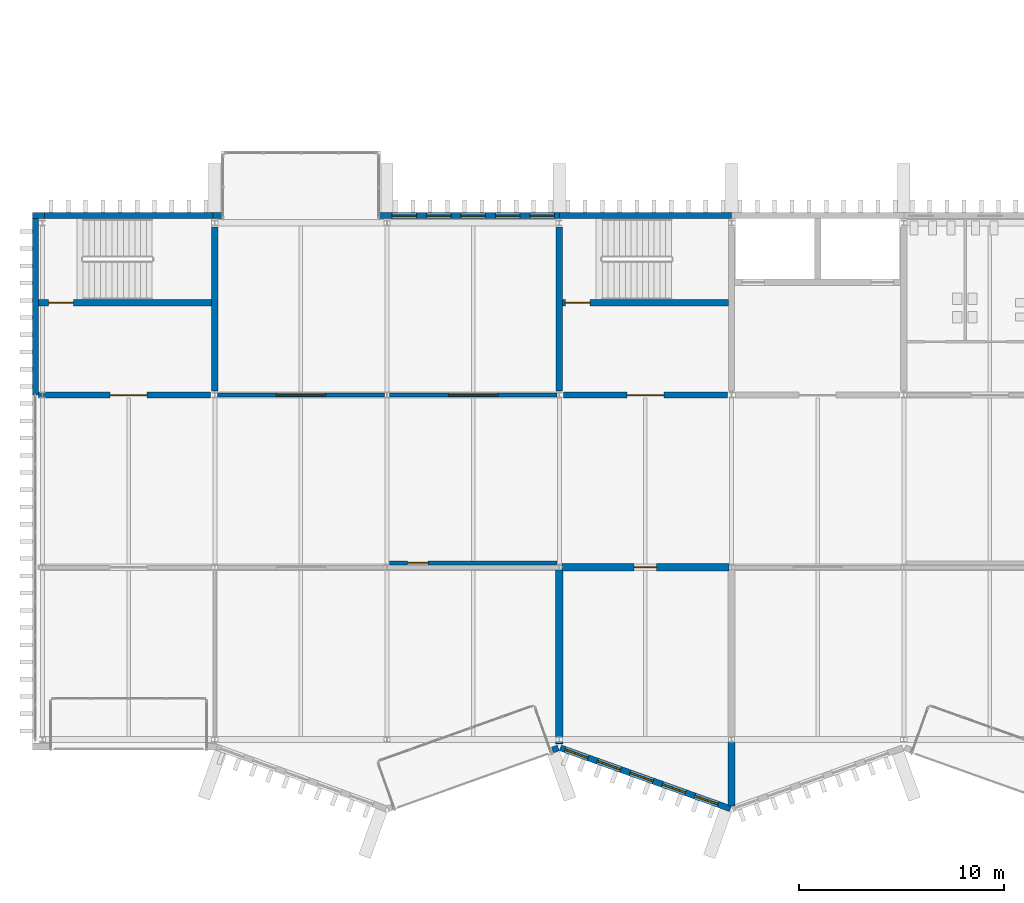
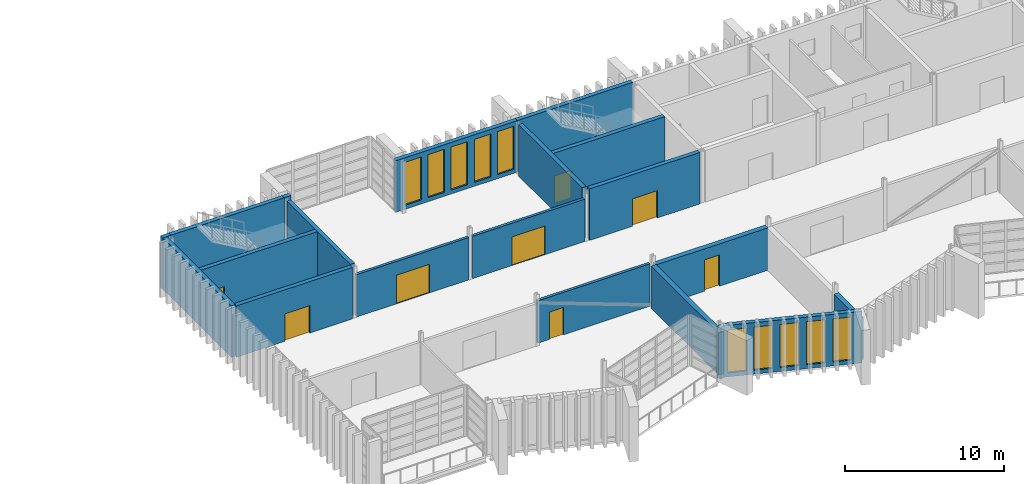
# One storey, part 54 of 88: 21 walls, 10 windows, 8 doors, 18 openings.
"""IFC4 building model written with IfcOpenShell, lengths in metres."""

import ifcopenshell
import ifcopenshell.guid

model = None  # the IFC model being written
_history = None  # IfcOwnerHistory: only IFC2X3 demands one
_inside = {}  # id of a spatial element -> (the spatial element, [elements in it])
_under = {}  # id of a project, library or spatial element -> (it, [spatial elements below it])
_declared = {}  # id of a project -> (the project, [libraries it declares])
_typed = {}  # id of a type object -> (the type object, [elements of that type])
_made_of = {}  # id of a material, layer set ... -> (it, [elements and type objects made of it])


def new_model(schema):
    """Start an empty IFC model of exactly this schema.

    Asked for "IFC4X3", IfcOpenShell would pick the latest addendum, in which some entities
    have other attributes; the version numbers below select the first issue.
    IFC2X3 requires an IfcOwnerHistory on every rooted entity: one is made here for all.
    """
    global model, _history
    if schema == "IFC4X3":
        model = ifcopenshell.file(schema_version=(4, 3, 0, 0))
    else:
        model = ifcopenshell.file(schema=schema)
    _inside.clear()
    _under.clear()
    _declared.clear()
    _typed.clear()
    _made_of.clear()
    _history = None
    if model.schema == "IFC2X3":
        org = make("IfcOrganization", Name="unknown")
        user = make(
            "IfcPersonAndOrganization",
            ThePerson=make("IfcPerson", FamilyName="unknown"),
            TheOrganization=org,
        )
        app = make(
            "IfcApplication",
            ApplicationDeveloper=org,
            Version="unknown",
            ApplicationFullName="unknown",
            ApplicationIdentifier="unknown",
        )
        _history = make(
            "IfcOwnerHistory",
            OwningUser=user,
            OwningApplication=app,
            ChangeAction="ADDED",
            CreationDate=0,
        )
    return model


def make(cls, **values):
    """One entity of the class cls with the attributes given. An attribute that is None is left unset."""
    return model.create_entity(
        cls, **{name: value for name, value in values.items() if value is not None}
    )


def rooted(cls, **values):
    """An entity with a GlobalId (a new one), such as an element, a storey or a relation."""
    return make(cls, GlobalId=ifcopenshell.guid.new(), OwnerHistory=_history, **values)


def si_unit(unit_type, name, prefix=None):
    """IfcSIUnit, for example si_unit("LENGTHUNIT", "METRE", prefix="MILLI")."""
    return make("IfcSIUnit", UnitType=unit_type, Prefix=prefix, Name=name)


def assignment(units):
    """IfcUnitAssignment: the units of a project."""
    return None if units is None else make("IfcUnitAssignment", Units=units)


def point(xyz):
    """IfcCartesianPoint."""
    return None if xyz is None else make("IfcCartesianPoint", Coordinates=xyz)


def direction(xyz):
    """IfcDirection."""
    return None if xyz is None else make("IfcDirection", DirectionRatios=xyz)


def frame(location, z_axis=None, x_axis=None):
    """IfcAxis2Placement3D, a coordinate frame: its origin and axes. An axis left out is left unset."""
    return make(
        "IfcAxis2Placement3D",
        Location=point(location),
        Axis=direction(z_axis),
        RefDirection=direction(x_axis),
    )


def frame_2d(location, x_axis=None):
    """IfcAxis2Placement2D, a coordinate frame in the plane: its origin and x axis."""
    return make(
        "IfcAxis2Placement2D", Location=point(location), RefDirection=direction(x_axis)
    )


def origin():
    """The frame at (0, 0, 0) with its axes left unset."""
    return frame((0.0, 0.0, 0.0))


def place(relative_to, where):
    """IfcLocalPlacement: puts the frame where relative to a parent placement (None: the world)."""
    return make(
        "IfcLocalPlacement", PlacementRelTo=relative_to, RelativePlacement=where
    )


def context(
    kind, dimensions, precision=None, world=None, true_north=None, identifier=None
):
    """IfcGeometricRepresentationContext, for example the 3D "Model" context."""
    return make(
        "IfcGeometricRepresentationContext",
        ContextIdentifier=identifier,
        ContextType=kind,
        CoordinateSpaceDimension=dimensions,
        Precision=precision,
        WorldCoordinateSystem=world,
        TrueNorth=true_north,
    )


def subcontext(parent, identifier, kind, view, scale=None):
    """IfcGeometricRepresentationSubContext, for example "Body" below "Model"."""
    return make(
        "IfcGeometricRepresentationSubContext",
        ContextIdentifier=identifier,
        ContextType=kind,
        ParentContext=parent,
        TargetScale=scale,
        TargetView=view,
    )


def project(units=None, contexts=None):
    """IfcProject with its units and contexts."""
    return rooted(
        "IfcProject",
        Name="project",
        RepresentationContexts=contexts,
        UnitsInContext=assignment(units),
    )


def spatial(cls, under=None, at=None, **own):
    """A site, building, storey or space (cls), placed at a placement, below another one or the project."""
    s = rooted(cls, ObjectPlacement=at, **own)
    if under is not None:
        _under.setdefault(under.id(), (under, []))[1].append(s)
    return s


def profile(cls, at=None, kind="AREA", **sizes):
    """A parametric profile (cls). Its sizes go by their IFC names, for example OverallWidth=200.0."""
    return make(cls, ProfileType=kind, Position=at, **sizes)


def rectangle(**sizes):
    """IfcRectangleProfileDef."""
    return profile("IfcRectangleProfileDef", **sizes)


def extrude(swept, where, along, depth):
    """IfcExtrudedAreaSolid: the profile swept, set in the frame where, extruded along a direction by depth."""
    return make(
        "IfcExtrudedAreaSolid",
        SweptArea=swept,
        Position=where,
        ExtrudedDirection=direction(along),
        Depth=depth,
    )


def shape(context_of_items, identifier, shape_type, items):
    """IfcShapeRepresentation: the items that make up one representation, for example the "Body"."""
    return make(
        "IfcShapeRepresentation",
        ContextOfItems=context_of_items,
        RepresentationIdentifier=identifier,
        RepresentationType=shape_type,
        Items=items,
    )


def material(Name=None, Category=None):
    """IfcMaterial."""
    return make("IfcMaterial", Name=Name, Category=Category)


def layer(
    of_material, thickness, ventilated=None, Name=None, Category=None, Priority=None
):
    """IfcMaterialLayer: one layer of a wall or slab, of a material (None: an air gap)."""
    return make(
        "IfcMaterialLayer",
        Material=of_material,
        LayerThickness=thickness,
        IsVentilated=ventilated,
        Name=Name,
        Category=Category,
        Priority=Priority,
    )


def layer_set(layers, Name=None):
    """IfcMaterialLayerSet."""
    return make("IfcMaterialLayerSet", MaterialLayers=layers, LayerSetName=Name)


def made_of(thing, what):
    """Note that an element or type object is made of a material, layer set ...; save() writes the relation."""
    if what is not None:
        _made_of.setdefault(what.id(), (what, []))[1].append(thing)
    return thing


def type_object(cls, material=None, **own):
    """A type object (cls), such as IfcWallType, which elements share."""
    return made_of(rooted(cls, **own), material)


def element(
    cls,
    number,
    at=None,
    inside=None,
    cuts=None,
    type_object=None,
    material=None,
    context=None,
    identifier="Body",
    shape_type=None,
    held_by="IfcProductDefinitionShape",
    body=None,
    shapes=None,
    **own,
):
    """One element of the class cls, such as IfcWall. Its Tag is "e" and its number.

    at: its placement. inside: the storey or other place that contains it. cuts: it is an
    opening in that element (IfcRelVoidsElement). A single representation is given by context,
    identifier, shape_type and body (its items); several are given by shapes. held_by: the class
    of the entity that holds the representations. save() writes the other relations.
    """
    e = rooted(cls, Tag="e%d" % number, ObjectPlacement=at, **own)
    if body is not None:
        shapes = [shape(context, identifier, shape_type, body)]
    if shapes is not None:
        e.Representation = make(held_by, Representations=shapes)
    if inside is not None:
        _inside.setdefault(inside.id(), (inside, []))[1].append(e)
    if cuts is not None:
        rooted(
            "IfcRelVoidsElement", RelatingBuildingElement=cuts, RelatedOpeningElement=e
        )
    if type_object is not None:
        _typed.setdefault(type_object.id(), (type_object, []))[1].append(e)
    return made_of(e, material)


def fill(opening, filler):
    """IfcRelFillsElement: the door or window that sits in an opening."""
    return rooted(
        "IfcRelFillsElement",
        RelatingOpeningElement=opening,
        RelatedBuildingElement=filler,
    )


def aggregate(whole, parts):
    """IfcRelAggregates: a whole, such as a stair, and the parts it consists of."""
    return rooted("IfcRelAggregates", RelatingObject=whole, RelatedObjects=parts)


def save(model, path):
    """Write the relations noted so far, then the file.

    IfcRelAggregates (storeys below a building ...), IfcRelContainedInSpatialStructure (elements
    in a storey), IfcRelDefinesByType, IfcRelAssociatesMaterial and IfcRelDeclares: one each for
    every whole, place, type object, material and project.
    """
    for whole, parts in _under.values():
        aggregate(whole, parts)
    for where, things in _inside.values():
        rooted(
            "IfcRelContainedInSpatialStructure",
            RelatedElements=things,
            RelatingStructure=where,
        )
    for kind, things in _typed.values():
        rooted("IfcRelDefinesByType", RelatedObjects=things, RelatingType=kind)
    for what, things in _made_of.values():
        rooted("IfcRelAssociatesMaterial", RelatedObjects=things, RelatingMaterial=what)
    for by, libraries in _declared.values():
        rooted("IfcRelDeclares", RelatingContext=by, RelatedDefinitions=libraries)
    model.write(path)


model = new_model("IFC4")

# Units and contexts
model_context = context("Model", 3, precision=1e-05, world=origin(), true_north=direction((0.0, 1.0)))
body_context = subcontext(model_context, "Body", "Model", "MODEL_VIEW")
ifc_project = project(units=[si_unit("LENGTHUNIT", "METRE"), si_unit("AREAUNIT", "SQUARE_METRE"), si_unit("VOLUMEUNIT", "CUBIC_METRE"), si_unit("PLANEANGLEUNIT", "RADIAN"), si_unit("MASSUNIT", "GRAM", prefix="KILO")], contexts=[model_context])

# Site, building, storey
site_placement = place(None, origin())
site = spatial("IfcSite", under=ifc_project, at=site_placement, CompositionType="ELEMENT")
building_placement = place(site_placement, origin())
building = spatial("IfcBuilding", under=site, at=building_placement, Name="Cresset Court Congress Hotel", CompositionType="ELEMENT")
storey_placement = place(building_placement, frame((0.0, 0.0, 14.39990234375)))
storey = spatial("IfcBuildingStorey", under=building, at=storey_placement, Name="L03", CompositionType="ELEMENT", Elevation=14.39990234375)

# Wall, opening, door
ifc_material_1 = material(Name="Double gypsum board leaves on steel studs with mineral wool", Category="steel")
ifc_layer_1 = layer(ifc_material_1, 0.35009765625)
ifc_layer_set_1 = layer_set([ifc_layer_1], Name="Acoustic double-leaf boardroom wall 350")
wall_type_1 = type_object("IfcWallType", Name="Acoustic double-leaf boardroom wall 350", PredefinedType="PARTITIONING", material=ifc_layer_set_1)
wall_1_placement = place(storey_placement, frame((33.72509765625, 8.39990234375, 0.0), z_axis=(0.0, 0.0, 1.0), x_axis=(1.0, 0.0, 0.0)))
wall_1 = element("IfcWall", 1, at=wall_1_placement, inside=storey, type_object=wall_type_1, Name="Boardroom acoustic wall", PredefinedType="PARTITIONING", context=body_context, shape_type="SweptSolid", body=[
    extrude(rectangle(XDim=8.14990234375, YDim=0.35009765625, at=frame_2d((4.074951171875, 0.0))), origin(), (0.0, 0.0, 1.0), 3.25),
])
opening_1_placement = place(wall_1_placement, frame((3.52490234375, 0.0, 0.0)))
opening_1 = element("IfcOpeningElement", 2, at=opening_1_placement, cuts=wall_1, Name="Opening DB-03-04", PredefinedType="OPENING", context=body_context, shape_type="SweptSolid", body=[
    extrude(rectangle(XDim=1.10009765625, YDim=2.39990234375, at=frame_2d((0.550048828125, 1.199951171875))), frame((0.0, 0.18505859375, 0.0), z_axis=(0.0, -1.0, 0.0), x_axis=(1.0, 0.0, 0.0)), (0.0, 0.0, 1.0), 0.3701171875),
])
ifc_material_2 = material(Name="Solid-core timber with acoustic seals", Category="wood")
door_type_1 = type_object("IfcDoorType", Name="Boardroom acoustic door FD30 1100x2400", OperationType="SINGLE_SWING_LEFT", PredefinedType="DOOR", material=ifc_material_2)
door_1_placement = place(opening_1_placement, origin())
door_1 = element("IfcDoor", 3, at=door_1_placement, inside=storey, type_object=door_type_1, Name="Boardroom door", OperationType="SINGLE_SWING_LEFT", OverallHeight=2.39990234375, OverallWidth=1.10009765625, PredefinedType="DOOR", context=body_context, shape_type="SweptSolid", body=[
    extrude(rectangle(XDim=1.10009765625, YDim=2.39990234375, at=frame_2d((0.550048828125, 1.199951171875))), frame((0.0, 0.02490234375, 0.0), z_axis=(0.0, -1.0, 0.0), x_axis=(1.0, 0.0, 0.0)), (0.0, 0.0, 1.0), 0.050048828125),
])
fill(opening_1, door_1)

# Walls
wall_2_placement = place(storey_placement, frame((33.60009765625, -0.199951171875, 0.0), z_axis=(0.0, 0.0, 1.0), x_axis=(0.0, 1.0, 0.0)))
element("IfcWall", 4, at=wall_2_placement, inside=storey, type_object=wall_type_1, Name="Boardroom acoustic wall", PredefinedType="PARTITIONING", context=body_context, shape_type="SweptSolid", body=[
    extrude(rectangle(XDim=0.074951171875, YDim=0.35009765625, at=frame_2d((0.03759765625, 0.0))), origin(), (0.0, 0.0, 1.0), 3.25),
])
wall_3_placement = place(storey_placement, frame((33.60009765625, 0.125, 0.0), z_axis=(0.0, 0.0, 1.0), x_axis=(0.0, 1.0, 0.0)))
element("IfcWall", 5, at=wall_3_placement, inside=storey, type_object=wall_type_1, Name="Boardroom acoustic wall", PredefinedType="PARTITIONING", context=body_context, shape_type="SweptSolid", body=[
    extrude(rectangle(XDim=8.14990234375, YDim=0.35009765625, at=frame_2d((4.074951171875, 0.0))), origin(), (0.0, 0.0, 1.0), 3.25),
])
wall_4_placement = place(storey_placement, frame((42.0, -3.2314453125, 0.0), z_axis=(0.0, 0.0, 1.0), x_axis=(0.0, 1.0, 0.0)))
element("IfcWall", 6, at=wall_4_placement, inside=storey, type_object=wall_type_1, Name="Boardroom acoustic wall", PredefinedType="PARTITIONING", context=body_context, shape_type="SweptSolid", body=[
    extrude(rectangle(XDim=3.1064453125, YDim=0.35009765625, at=frame_2d((1.55322265625, 0.0))), origin(), (0.0, 0.0, 1.0), 3.25),
])
ifc_material_3 = material(Name="Concrete C50", Category="concrete")
ifc_layer_2 = layer(ifc_material_3, 0.300048828125)
ifc_layer_set_2 = layer_set([ifc_layer_2], Name="Core wall 300 Concrete C50")
wall_type_2 = type_object("IfcWallType", Name="Core wall 300 Concrete C50", PredefinedType="SHEAR", material=ifc_layer_set_2)
wall_5_placement = place(storey_placement, frame((16.800048828125, 17.0, 0.0), z_axis=(0.0, 0.0, 1.0), x_axis=(0.0, 1.0, 0.0)))
element("IfcWall", 7, at=wall_5_placement, inside=storey, type_object=wall_type_2, Name="Core wall ST-B1", PredefinedType="SHEAR", context=body_context, shape_type="SweptSolid", body=[
    extrude(rectangle(XDim=8.0, YDim=0.300048828125, at=frame_2d((4.0, 0.0))), origin(), (0.0, 0.0, 1.0), 3.9501953125),
])

# Wall, opening, door
wall_6_placement = place(storey_placement, frame((8.199951171875, 16.800048828125, 0.0), z_axis=(0.0, 0.0, 1.0), x_axis=(1.0, 0.0, 0.0)))
wall_6 = element("IfcWall", 8, at=wall_6_placement, inside=storey, type_object=wall_type_2, Name="Core wall ST-B1", PredefinedType="SHEAR", context=body_context, shape_type="SweptSolid", body=[
    extrude(rectangle(XDim=8.400146484375, YDim=0.300048828125, at=frame_2d((4.2001953125, 0.0))), origin(), (0.0, 0.0, 1.0), 3.9501953125),
])
opening_2_placement = place(wall_6_placement, frame((3.5, 0.0, 0.0)))
opening_2 = element("IfcOpeningElement", 9, at=opening_2_placement, cuts=wall_6, Name="Opening DB-03-45", PredefinedType="OPENING", context=body_context, shape_type="SweptSolid", body=[
    extrude(rectangle(XDim=1.800048828125, YDim=2.10009765625, at=frame_2d((0.89990234375, 1.050048828125))), frame((0.0, 0.159912109375, 0.0), z_axis=(0.0, -1.0, 0.0), x_axis=(1.0, 0.0, 0.0)), (0.0, 0.0, 1.0), 0.320068359375),
])
ifc_material_4 = material(Name="Timber and steel frame", Category="steel")
door_type_2 = type_object("IfcDoorType", Name="Lobby fire door FD60 double 1800x2100", OperationType="DOUBLE_DOOR_SINGLE_SWING", PredefinedType="DOOR", material=ifc_material_4)
door_2_placement = place(opening_2_placement, origin())
door_2 = element("IfcDoor", 10, at=door_2_placement, inside=storey, type_object=door_type_2, Name="Stair lobby door ST-B1", OperationType="DOUBLE_DOOR_SINGLE_SWING", OverallHeight=2.10009765625, OverallWidth=1.800048828125, PredefinedType="DOOR", context=body_context, shape_type="SweptSolid", body=[
    extrude(rectangle(XDim=1.800048828125, YDim=2.10009765625, at=frame_2d((0.89990234375, 1.050048828125))), frame((0.0, 0.02490234375, 0.0), z_axis=(0.0, -1.0, 0.0), x_axis=(1.0, 0.0, 0.0)), (0.0, 0.0, 1.0), 0.050048828125),
])
fill(opening_2, door_2)

wall_7_placement = place(storey_placement, frame((8.199951171875, 21.300048828125, 0.0), z_axis=(0.0, 0.0, 1.0), x_axis=(1.0, 0.0, 0.0)))
wall_7 = element("IfcWall", 11, at=wall_7_placement, inside=storey, type_object=wall_type_2, Name="Core wall ST-B1", PredefinedType="SHEAR", context=body_context, shape_type="SweptSolid", body=[
    extrude(rectangle(XDim=8.449951171875, YDim=0.300048828125, at=frame_2d((4.22509765625, 0.0))), origin(), (0.0, 0.0, 1.0), 3.9501953125),
])
opening_3_placement = place(wall_7_placement, frame((0.5, 0.0, 0.0)))
opening_3 = element("IfcOpeningElement", 12, at=opening_3_placement, cuts=wall_7, Name="Opening DB-03-44", PredefinedType="OPENING", context=body_context, shape_type="SweptSolid", body=[
    extrude(rectangle(XDim=1.199951171875, YDim=2.10009765625, at=frame_2d((0.60009765625, 1.050048828125))), frame((0.0, 0.159912109375, 0.0), z_axis=(0.0, -1.0, 0.0), x_axis=(1.0, 0.0, 0.0)), (0.0, 0.0, 1.0), 0.320068359375),
])
ifc_material_5 = material(Name="Timber and steel frame", Category="steel")
door_type_3 = type_object("IfcDoorType", Name="Stair fire door FD60 1200x2100", OperationType="SINGLE_SWING_LEFT", PredefinedType="DOOR", material=ifc_material_5)
door_3_placement = place(opening_3_placement, origin())
door_3 = element("IfcDoor", 13, at=door_3_placement, inside=storey, type_object=door_type_3, Name="Stair door ST-B1", OperationType="SINGLE_SWING_LEFT", OverallHeight=2.10009765625, OverallWidth=1.199951171875, PredefinedType="DOOR", context=body_context, shape_type="SweptSolid", body=[
    extrude(rectangle(XDim=1.199951171875, YDim=2.10009765625, at=frame_2d((0.60009765625, 1.050048828125))), frame((0.0, 0.02490234375, 0.0), z_axis=(0.0, -1.0, 0.0), x_axis=(1.0, 0.0, 0.0)), (0.0, 0.0, 1.0), 0.050048828125),
])
fill(opening_3, door_3)

# Wall
wall_8_placement = place(storey_placement, frame((33.60009765625, 17.0, 0.0), z_axis=(0.0, 0.0, 1.0), x_axis=(0.0, 1.0, 0.0)))
element("IfcWall", 14, at=wall_8_placement, inside=storey, type_object=wall_type_2, Name="Core wall ST-B2", PredefinedType="SHEAR", context=body_context, shape_type="SweptSolid", body=[
    extrude(rectangle(XDim=8.0, YDim=0.300048828125, at=frame_2d((4.0, 0.0))), origin(), (0.0, 0.0, 1.0), 3.9501953125),
])

# Wall, opening, door
wall_9_placement = place(storey_placement, frame((33.800048828125, 16.800048828125, 0.0), z_axis=(0.0, 0.0, 1.0), x_axis=(1.0, 0.0, 0.0)))
wall_9 = element("IfcWall", 15, at=wall_9_placement, inside=storey, type_object=wall_type_2, Name="Core wall ST-B2", PredefinedType="SHEAR", context=body_context, shape_type="SweptSolid", body=[
    extrude(rectangle(XDim=8.0, YDim=0.300048828125, at=frame_2d((4.0, 0.0))), origin(), (0.0, 0.0, 1.0), 3.9501953125),
])
opening_4_placement = place(wall_9_placement, frame((3.10009765625, 0.0, 0.0)))
opening_4 = element("IfcOpeningElement", 16, at=opening_4_placement, cuts=wall_9, Name="Opening DB-03-47", PredefinedType="OPENING", context=body_context, shape_type="SweptSolid", body=[
    extrude(rectangle(XDim=1.800048828125, YDim=2.10009765625, at=frame_2d((0.89990234375, 1.050048828125))), frame((0.0, 0.159912109375, 0.0), z_axis=(0.0, -1.0, 0.0), x_axis=(1.0, 0.0, 0.0)), (0.0, 0.0, 1.0), 0.320068359375),
])
door_4_placement = place(opening_4_placement, origin())
door_4 = element("IfcDoor", 17, at=door_4_placement, inside=storey, type_object=door_type_2, Name="Stair lobby door ST-B2", OperationType="DOUBLE_DOOR_SINGLE_SWING", OverallHeight=2.10009765625, OverallWidth=1.800048828125, PredefinedType="DOOR", context=body_context, shape_type="SweptSolid", body=[
    extrude(rectangle(XDim=1.800048828125, YDim=2.10009765625, at=frame_2d((0.89990234375, 1.050048828125))), frame((0.0, 0.02490234375, 0.0), z_axis=(0.0, -1.0, 0.0), x_axis=(1.0, 0.0, 0.0)), (0.0, 0.0, 1.0), 0.050048828125),
])
fill(opening_4, door_4)

wall_10_placement = place(storey_placement, frame((33.75, 21.300048828125, 0.0), z_axis=(0.0, 0.0, 1.0), x_axis=(1.0, 0.0, 0.0)))
wall_10 = element("IfcWall", 18, at=wall_10_placement, inside=storey, type_object=wall_type_2, Name="Core wall ST-B2", PredefinedType="SHEAR", context=body_context, shape_type="SweptSolid", body=[
    extrude(rectangle(XDim=8.10009765625, YDim=0.300048828125, at=frame_2d((4.050048828125, 0.0))), origin(), (0.0, 0.0, 1.0), 3.9501953125),
])
opening_5_placement = place(wall_10_placement, frame((0.14990234375, 0.0, 0.0)))
opening_5 = element("IfcOpeningElement", 19, at=opening_5_placement, cuts=wall_10, Name="Opening DB-03-46", PredefinedType="OPENING", context=body_context, shape_type="SweptSolid", body=[
    extrude(rectangle(XDim=1.199951171875, YDim=2.10009765625, at=frame_2d((0.60009765625, 1.050048828125))), frame((0.0, 0.159912109375, 0.0), z_axis=(0.0, -1.0, 0.0), x_axis=(1.0, 0.0, 0.0)), (0.0, 0.0, 1.0), 0.320068359375),
])
door_5_placement = place(opening_5_placement, origin())
door_5 = element("IfcDoor", 20, at=door_5_placement, inside=storey, type_object=door_type_3, Name="Stair door ST-B2", OperationType="SINGLE_SWING_LEFT", OverallHeight=2.10009765625, OverallWidth=1.199951171875, PredefinedType="DOOR", context=body_context, shape_type="SweptSolid", body=[
    extrude(rectangle(XDim=1.199951171875, YDim=2.10009765625, at=frame_2d((0.60009765625, 1.050048828125))), frame((0.0, 0.02490234375, 0.0), z_axis=(0.0, -1.0, 0.0), x_axis=(1.0, 0.0, 0.0)), (0.0, 0.0, 1.0), 0.050048828125),
])
fill(opening_5, door_5)

# Walls
ifc_material_6 = material(Name="Concrete C50", Category="concrete")
ifc_layer_3 = layer(ifc_material_6, 0.300048828125)
ifc_layer_set_3 = layer_set([ifc_layer_3], Name="Core wall 300 Concrete C50 external")
wall_type_3 = type_object("IfcWallType", Name="Core wall 300 Concrete C50 external", PredefinedType="SHEAR", material=ifc_layer_set_3)
wall_11_placement = place(storey_placement, frame((8.050048828125, 16.800048828125, 0.0), z_axis=(0.0, 0.0, 1.0), x_axis=(0.0, 1.0, 0.0)))
element("IfcWall", 21, at=wall_11_placement, inside=storey, type_object=wall_type_3, Name="Core wall ST-B1", PredefinedType="SHEAR", context=body_context, shape_type="SweptSolid", body=[
    extrude(rectangle(XDim=8.599853515625, YDim=0.300048828125, at=frame_2d((4.2998046875, 0.0))), origin(), (0.0, 0.0, 1.0), 3.9501953125),
])
wall_12_placement = place(storey_placement, frame((8.39990234375, 25.550048828125, 0.0), z_axis=(0.0, 0.0, 1.0), x_axis=(1.0, 0.0, 0.0)))
element("IfcWall", 22, at=wall_12_placement, inside=storey, type_object=wall_type_3, Name="Core wall ST-B1", PredefinedType="SHEAR", context=body_context, shape_type="SweptSolid", body=[
    extrude(rectangle(XDim=8.400146484375, YDim=0.300048828125, at=frame_2d((4.2001953125, 0.0))), origin(), (0.0, 0.0, 1.0), 3.9501953125),
])
wall_13_placement = place(storey_placement, frame((33.60009765625, 25.550048828125, 0.0), z_axis=(0.0, 0.0, 1.0), x_axis=(1.0, 0.0, 0.0)))
element("IfcWall", 23, at=wall_13_placement, inside=storey, type_object=wall_type_3, Name="Core wall ST-B2", PredefinedType="SHEAR", context=body_context, shape_type="SweptSolid", body=[
    extrude(rectangle(XDim=8.39990234375, YDim=0.300048828125, at=frame_2d((4.199951171875, 0.0))), origin(), (0.0, 0.0, 1.0), 3.9501953125),
])
ifc_material_7 = material(Name="Concrete C40", Category="concrete")
ifc_layer_4 = layer(ifc_material_7, 0.300048828125)
ifc_layer_set_4 = layer_set([ifc_layer_4], Name="External wall 300 Concrete C40")
wall_type_4 = type_object("IfcWallType", Name="External wall 300 Concrete C40", PredefinedType="SOLIDWALL", material=ifc_layer_set_4)
wall_14_placement = place(storey_placement, frame((33.26708984375, -0.509521484375, 0.0), z_axis=(0.0, 0.0, 1.0), x_axis=(0.941797147708, 0.336181695768, 0.0)))
element("IfcWall", 24, at=wall_14_placement, inside=storey, type_object=wall_type_4, Name="External wall", PredefinedType="SOLIDWALL", context=body_context, shape_type="SweptSolid", body=[
    extrude(rectangle(XDim=0.300048828125, YDim=0.300048828125, at=frame_2d((0.14990234375, 0.0))), origin(), (0.0, 0.0, 1.0), 3.9501953125),
])

# Wall, openings, windows
wall_15_placement = place(storey_placement, frame((33.650390625, -0.40869140625, 0.0), z_axis=(0.0, 0.0, 1.0), x_axis=(0.941736270411, -0.336352191894, 0.0)))
wall_15 = element("IfcWall", 25, at=wall_15_placement, inside=storey, type_object=wall_type_4, Name="External wall", PredefinedType="SOLIDWALL", context=body_context, shape_type="SweptSolid", body=[
    extrude(rectangle(XDim=8.8125, YDim=0.300048828125, at=frame_2d((4.40625, 0.0))), origin(), (0.0, 0.0, 1.0), 3.9501953125),
])
opening_6_placement = place(wall_15_placement, frame((0.239990234375, 0.0, 0.300048828125)))
opening_6 = element("IfcOpeningElement", 26, at=opening_6_placement, cuts=wall_15, Name="Opening NB-03-19", PredefinedType="OPENING", context=body_context, shape_type="SweptSolid", body=[
    extrude(rectangle(XDim=1.199951171875, YDim=3.300048828125, at=frame_2d((0.60009765625, 1.64990234375))), frame((0.0, 0.159912109375, 0.0), z_axis=(0.0, -1.0, 0.0), x_axis=(1.0, 0.0, 0.0)), (0.0, 0.0, 1.0), 0.320068359375),
])
opening_7_placement = place(wall_15_placement, frame((1.919921875, 0.0, 0.300048828125)))
opening_7 = element("IfcOpeningElement", 27, at=opening_7_placement, cuts=wall_15, Name="Opening NB-03-20", PredefinedType="OPENING", context=body_context, shape_type="SweptSolid", body=[
    extrude(rectangle(XDim=1.199951171875, YDim=3.300048828125, at=frame_2d((0.60009765625, 1.64990234375))), frame((0.0, 0.159912109375, 0.0), z_axis=(0.0, -1.0, 0.0), x_axis=(1.0, 0.0, 0.0)), (0.0, 0.0, 1.0), 0.320068359375),
])
opening_8_placement = place(wall_15_placement, frame((3.60009765625, 0.0, 0.300048828125)))
opening_8 = element("IfcOpeningElement", 28, at=opening_8_placement, cuts=wall_15, Name="Opening NB-03-21", PredefinedType="OPENING", context=body_context, shape_type="SweptSolid", body=[
    extrude(rectangle(XDim=1.199951171875, YDim=3.300048828125, at=frame_2d((0.60009765625, 1.64990234375))), frame((0.0, 0.159912109375, 0.0), z_axis=(0.0, -1.0, 0.0), x_axis=(1.0, 0.0, 0.0)), (0.0, 0.0, 1.0), 0.320068359375),
])
opening_9_placement = place(wall_15_placement, frame((5.280029296875, 0.0, 0.300048828125)))
opening_9 = element("IfcOpeningElement", 29, at=opening_9_placement, cuts=wall_15, Name="Opening NB-03-22", PredefinedType="OPENING", context=body_context, shape_type="SweptSolid", body=[
    extrude(rectangle(XDim=1.199951171875, YDim=3.300048828125, at=frame_2d((0.60009765625, 1.64990234375))), frame((0.0, 0.159912109375, 0.0), z_axis=(0.0, -1.0, 0.0), x_axis=(1.0, 0.0, 0.0)), (0.0, 0.0, 1.0), 0.320068359375),
])
opening_10_placement = place(wall_15_placement, frame((6.9599609375, 0.0, 0.300048828125)))
opening_10 = element("IfcOpeningElement", 30, at=opening_10_placement, cuts=wall_15, Name="Opening NB-03-23", PredefinedType="OPENING", context=body_context, shape_type="SweptSolid", body=[
    extrude(rectangle(XDim=1.199951171875, YDim=3.300048828125, at=frame_2d((0.60009765625, 1.64990234375))), frame((0.0, 0.159912109375, 0.0), z_axis=(0.0, -1.0, 0.0), x_axis=(1.0, 0.0, 0.0)), (0.0, 0.0, 1.0), 0.320068359375),
])
ifc_material_8 = material(Name="Aluminium frame with double glazing", Category="aluminium")
window_type = type_object("IfcWindowType", Name="Window 1200x3300", PartitioningType="TRIPLE_PANEL_VERTICAL", PredefinedType="WINDOW", material=ifc_material_8)
window_1_placement = place(opening_6_placement, origin())
window_1 = element("IfcWindow", 31, at=window_1_placement, inside=storey, type_object=window_type, Name="Window NB-03-19", OverallHeight=3.300048828125, OverallWidth=1.199951171875, PartitioningType="TRIPLE_PANEL_VERTICAL", PredefinedType="WINDOW", context=body_context, shape_type="SweptSolid", body=[
    extrude(rectangle(XDim=1.199951171875, YDim=3.300048828125, at=frame_2d((0.60009765625, 1.64990234375))), frame((0.0, 0.030029296875, 0.0), z_axis=(0.0, -1.0, 0.0), x_axis=(1.0, 0.0, 0.0)), (0.0, 0.0, 1.0), 0.06005859375),
])
fill(opening_6, window_1)
window_2_placement = place(opening_7_placement, origin())
window_2 = element("IfcWindow", 32, at=window_2_placement, inside=storey, type_object=window_type, Name="Window NB-03-20", OverallHeight=3.300048828125, OverallWidth=1.199951171875, PartitioningType="TRIPLE_PANEL_VERTICAL", PredefinedType="WINDOW", context=body_context, shape_type="SweptSolid", body=[
    extrude(rectangle(XDim=1.199951171875, YDim=3.300048828125, at=frame_2d((0.60009765625, 1.64990234375))), frame((0.0, 0.030029296875, 0.0), z_axis=(0.0, -1.0, 0.0), x_axis=(1.0, 0.0, 0.0)), (0.0, 0.0, 1.0), 0.06005859375),
])
fill(opening_7, window_2)
window_3_placement = place(opening_8_placement, origin())
window_3 = element("IfcWindow", 33, at=window_3_placement, inside=storey, type_object=window_type, Name="Window NB-03-21", OverallHeight=3.300048828125, OverallWidth=1.199951171875, PartitioningType="TRIPLE_PANEL_VERTICAL", PredefinedType="WINDOW", context=body_context, shape_type="SweptSolid", body=[
    extrude(rectangle(XDim=1.199951171875, YDim=3.300048828125, at=frame_2d((0.60009765625, 1.64990234375))), frame((0.0, 0.030029296875, 0.0), z_axis=(0.0, -1.0, 0.0), x_axis=(1.0, 0.0, 0.0)), (0.0, 0.0, 1.0), 0.06005859375),
])
fill(opening_8, window_3)
window_4_placement = place(opening_9_placement, origin())
window_4 = element("IfcWindow", 34, at=window_4_placement, inside=storey, type_object=window_type, Name="Window NB-03-22", OverallHeight=3.300048828125, OverallWidth=1.199951171875, PartitioningType="TRIPLE_PANEL_VERTICAL", PredefinedType="WINDOW", context=body_context, shape_type="SweptSolid", body=[
    extrude(rectangle(XDim=1.199951171875, YDim=3.300048828125, at=frame_2d((0.60009765625, 1.64990234375))), frame((0.0, 0.030029296875, 0.0), z_axis=(0.0, -1.0, 0.0), x_axis=(1.0, 0.0, 0.0)), (0.0, 0.0, 1.0), 0.06005859375),
])
fill(opening_9, window_4)
window_5_placement = place(opening_10_placement, origin())
window_5 = element("IfcWindow", 35, at=window_5_placement, inside=storey, type_object=window_type, Name="Window NB-03-23", OverallHeight=3.300048828125, OverallWidth=1.199951171875, PartitioningType="TRIPLE_PANEL_VERTICAL", PredefinedType="WINDOW", context=body_context, shape_type="SweptSolid", body=[
    extrude(rectangle(XDim=1.199951171875, YDim=3.300048828125, at=frame_2d((0.60009765625, 1.64990234375))), frame((0.0, 0.030029296875, 0.0), z_axis=(0.0, -1.0, 0.0), x_axis=(1.0, 0.0, 0.0)), (0.0, 0.0, 1.0), 0.06005859375),
])
fill(opening_10, window_5)

# Walls
wall_16_placement = place(storey_placement, frame((7.89990234375, 25.550048828125, 0.0), z_axis=(0.0, 0.0, 1.0), x_axis=(1.0, 0.0, 0.0)))
element("IfcWall", 36, at=wall_16_placement, inside=storey, type_object=wall_type_4, Name="External wall", PredefinedType="SOLIDWALL", context=body_context, shape_type="SweptSolid", body=[
    extrude(rectangle(XDim=0.60009765625, YDim=0.300048828125, at=frame_2d((0.300048828125, 0.0))), origin(), (0.0, 0.0, 1.0), 3.9501953125),
])
wall_17_placement = place(storey_placement, frame((16.699951171875, 25.550048828125, 0.0), z_axis=(0.0, 0.0, 1.0), x_axis=(1.0, 0.0, 0.0)))
element("IfcWall", 37, at=wall_17_placement, inside=storey, type_object=wall_type_4, Name="External wall", PredefinedType="SOLIDWALL", context=body_context, shape_type="SweptSolid", body=[
    extrude(rectangle(XDim=0.5, YDim=0.300048828125, at=frame_2d((0.25, 0.0))), origin(), (0.0, 0.0, 1.0), 3.9501953125),
])

# Wall, openings, windows
wall_18_placement = place(storey_placement, frame((24.800048828125, 25.550048828125, 0.0), z_axis=(0.0, 0.0, 1.0), x_axis=(1.0, 0.0, 0.0)))
wall_18 = element("IfcWall", 38, at=wall_18_placement, inside=storey, type_object=wall_type_4, Name="External wall", PredefinedType="SOLIDWALL", context=body_context, shape_type="SweptSolid", body=[
    extrude(rectangle(XDim=8.89990234375, YDim=0.300048828125, at=frame_2d((4.449951171875, 0.0))), origin(), (0.0, 0.0, 1.0), 3.9501953125),
])
opening_11_placement = place(wall_18_placement, frame((0.639892578125, 0.0, 0.300048828125)))
opening_11 = element("IfcOpeningElement", 39, at=opening_11_placement, cuts=wall_18, Name="Opening NB-03-49", PredefinedType="OPENING", context=body_context, shape_type="SweptSolid", body=[
    extrude(rectangle(XDim=1.199951171875, YDim=3.300048828125, at=frame_2d((0.60009765625, 1.64990234375))), frame((0.0, 0.159912109375, 0.0), z_axis=(0.0, -1.0, 0.0), x_axis=(1.0, 0.0, 0.0)), (0.0, 0.0, 1.0), 0.320068359375),
])
opening_12_placement = place(wall_18_placement, frame((2.320068359375, 0.0, 0.300048828125)))
opening_12 = element("IfcOpeningElement", 40, at=opening_12_placement, cuts=wall_18, Name="Opening NB-03-50", PredefinedType="OPENING", context=body_context, shape_type="SweptSolid", body=[
    extrude(rectangle(XDim=1.199951171875, YDim=3.300048828125, at=frame_2d((0.60009765625, 1.64990234375))), frame((0.0, 0.159912109375, 0.0), z_axis=(0.0, -1.0, 0.0), x_axis=(1.0, 0.0, 0.0)), (0.0, 0.0, 1.0), 0.320068359375),
])
opening_13_placement = place(wall_18_placement, frame((4.0, 0.0, 0.300048828125)))
opening_13 = element("IfcOpeningElement", 41, at=opening_13_placement, cuts=wall_18, Name="Opening NB-03-51", PredefinedType="OPENING", context=body_context, shape_type="SweptSolid", body=[
    extrude(rectangle(XDim=1.199951171875, YDim=3.300048828125, at=frame_2d((0.60009765625, 1.64990234375))), frame((0.0, 0.159912109375, 0.0), z_axis=(0.0, -1.0, 0.0), x_axis=(1.0, 0.0, 0.0)), (0.0, 0.0, 1.0), 0.320068359375),
])
opening_14_placement = place(wall_18_placement, frame((5.679931640625, 0.0, 0.300048828125)))
opening_14 = element("IfcOpeningElement", 42, at=opening_14_placement, cuts=wall_18, Name="Opening NB-03-52", PredefinedType="OPENING", context=body_context, shape_type="SweptSolid", body=[
    extrude(rectangle(XDim=1.199951171875, YDim=3.300048828125, at=frame_2d((0.60009765625, 1.64990234375))), frame((0.0, 0.159912109375, 0.0), z_axis=(0.0, -1.0, 0.0), x_axis=(1.0, 0.0, 0.0)), (0.0, 0.0, 1.0), 0.320068359375),
])
opening_15_placement = place(wall_18_placement, frame((7.360107421875, 0.0, 0.300048828125)))
opening_15 = element("IfcOpeningElement", 43, at=opening_15_placement, cuts=wall_18, Name="Opening NB-03-53", PredefinedType="OPENING", context=body_context, shape_type="SweptSolid", body=[
    extrude(rectangle(XDim=1.199951171875, YDim=3.300048828125, at=frame_2d((0.60009765625, 1.64990234375))), frame((0.0, 0.159912109375, 0.0), z_axis=(0.0, -1.0, 0.0), x_axis=(1.0, 0.0, 0.0)), (0.0, 0.0, 1.0), 0.320068359375),
])
window_6_placement = place(opening_11_placement, origin())
window_6 = element("IfcWindow", 44, at=window_6_placement, inside=storey, type_object=window_type, Name="Window NB-03-49", OverallHeight=3.300048828125, OverallWidth=1.199951171875, PartitioningType="TRIPLE_PANEL_VERTICAL", PredefinedType="WINDOW", context=body_context, shape_type="SweptSolid", body=[
    extrude(rectangle(XDim=1.199951171875, YDim=3.300048828125, at=frame_2d((0.60009765625, 1.64990234375))), frame((0.0, 0.030029296875, 0.0), z_axis=(0.0, -1.0, 0.0), x_axis=(1.0, 0.0, 0.0)), (0.0, 0.0, 1.0), 0.06005859375),
])
fill(opening_11, window_6)
window_7_placement = place(opening_12_placement, origin())
window_7 = element("IfcWindow", 45, at=window_7_placement, inside=storey, type_object=window_type, Name="Window NB-03-50", OverallHeight=3.300048828125, OverallWidth=1.199951171875, PartitioningType="TRIPLE_PANEL_VERTICAL", PredefinedType="WINDOW", context=body_context, shape_type="SweptSolid", body=[
    extrude(rectangle(XDim=1.199951171875, YDim=3.300048828125, at=frame_2d((0.60009765625, 1.64990234375))), frame((0.0, 0.030029296875, 0.0), z_axis=(0.0, -1.0, 0.0), x_axis=(1.0, 0.0, 0.0)), (0.0, 0.0, 1.0), 0.06005859375),
])
fill(opening_12, window_7)
window_8_placement = place(opening_13_placement, origin())
window_8 = element("IfcWindow", 46, at=window_8_placement, inside=storey, type_object=window_type, Name="Window NB-03-51", OverallHeight=3.300048828125, OverallWidth=1.199951171875, PartitioningType="TRIPLE_PANEL_VERTICAL", PredefinedType="WINDOW", context=body_context, shape_type="SweptSolid", body=[
    extrude(rectangle(XDim=1.199951171875, YDim=3.300048828125, at=frame_2d((0.60009765625, 1.64990234375))), frame((0.0, 0.030029296875, 0.0), z_axis=(0.0, -1.0, 0.0), x_axis=(1.0, 0.0, 0.0)), (0.0, 0.0, 1.0), 0.06005859375),
])
fill(opening_13, window_8)
window_9_placement = place(opening_14_placement, origin())
window_9 = element("IfcWindow", 47, at=window_9_placement, inside=storey, type_object=window_type, Name="Window NB-03-52", OverallHeight=3.300048828125, OverallWidth=1.199951171875, PartitioningType="TRIPLE_PANEL_VERTICAL", PredefinedType="WINDOW", context=body_context, shape_type="SweptSolid", body=[
    extrude(rectangle(XDim=1.199951171875, YDim=3.300048828125, at=frame_2d((0.60009765625, 1.64990234375))), frame((0.0, 0.030029296875, 0.0), z_axis=(0.0, -1.0, 0.0), x_axis=(1.0, 0.0, 0.0)), (0.0, 0.0, 1.0), 0.06005859375),
])
fill(opening_14, window_9)
window_10_placement = place(opening_15_placement, origin())
window_10 = element("IfcWindow", 48, at=window_10_placement, inside=storey, type_object=window_type, Name="Window NB-03-53", OverallHeight=3.300048828125, OverallWidth=1.199951171875, PartitioningType="TRIPLE_PANEL_VERTICAL", PredefinedType="WINDOW", context=body_context, shape_type="SweptSolid", body=[
    extrude(rectangle(XDim=1.199951171875, YDim=3.300048828125, at=frame_2d((0.60009765625, 1.64990234375))), frame((0.0, 0.030029296875, 0.0), z_axis=(0.0, -1.0, 0.0), x_axis=(1.0, 0.0, 0.0)), (0.0, 0.0, 1.0), 0.06005859375),
])
fill(opening_15, window_10)

# Wall, opening, door
ifc_material_9 = material(Name="Gypsum board on steel studs", Category="steel")
ifc_layer_5 = layer(ifc_material_9, 0.199951171875)
ifc_layer_set_5 = layer_set([ifc_layer_5], Name="Foyer wall 200")
wall_type_5 = type_object("IfcWallType", Name="Foyer wall 200", PredefinedType="PARTITIONING", material=ifc_layer_set_5)
wall_19_placement = place(storey_placement, frame((25.324951171875, 8.619384765625, 0.0), z_axis=(0.0, 0.0, 1.0), x_axis=(1.0, 0.0, 0.0)))
wall_19 = element("IfcWall", 49, at=wall_19_placement, inside=storey, type_object=wall_type_5, Name="Foyer wall", PredefinedType="PARTITIONING", context=body_context, shape_type="SweptSolid", body=[
    extrude(rectangle(XDim=8.150146484375, YDim=0.199951171875, at=frame_2d((4.0751953125, 0.0))), origin(), (0.0, 0.0, 1.0), 3.25),
])
opening_16_placement = place(wall_19_placement, frame((0.875, 0.0, 0.0)))
opening_16 = element("IfcOpeningElement", 50, at=opening_16_placement, cuts=wall_19, Name="Opening DB-03-03", PredefinedType="OPENING", context=body_context, shape_type="SweptSolid", body=[
    extrude(rectangle(XDim=1.0, YDim=2.10009765625, at=frame_2d((0.5, 1.050048828125))), frame((0.0, 0.10986328125, 0.0), z_axis=(0.0, -1.0, 0.0), x_axis=(1.0, 0.0, 0.0)), (0.0, 0.0, 1.0), 0.219970703125),
])
ifc_material_10 = material(Name="Timber and steel frame", Category="steel")
door_type_4 = type_object("IfcDoorType", Name="Fire door FD30 single 1000x2100", OperationType="SINGLE_SWING_LEFT", PredefinedType="DOOR", material=ifc_material_10)
door_6_placement = place(opening_16_placement, origin())
door_6 = element("IfcDoor", 51, at=door_6_placement, inside=storey, type_object=door_type_4, Name="Meeting Room door", OperationType="SINGLE_SWING_LEFT", OverallHeight=2.10009765625, OverallWidth=1.0, PredefinedType="DOOR", context=body_context, shape_type="SweptSolid", body=[
    extrude(rectangle(XDim=1.0, YDim=2.10009765625, at=frame_2d((0.5, 1.050048828125))), frame((0.0, 0.02490234375, 0.0), z_axis=(0.0, -1.0, 0.0), x_axis=(1.0, 0.0, 0.0)), (0.0, 0.0, 1.0), 0.050048828125),
])
fill(opening_16, door_6)

wall_20_placement = place(storey_placement, frame((16.925048828125, 16.800048828125, 0.0), z_axis=(0.0, 0.0, 1.0), x_axis=(1.0, 0.0, 0.0)))
wall_20 = element("IfcWall", 52, at=wall_20_placement, inside=storey, type_object=wall_type_5, Name="Foyer wall", PredefinedType="PARTITIONING", context=body_context, shape_type="SweptSolid", body=[
    extrude(rectangle(XDim=8.14990234375, YDim=0.199951171875, at=frame_2d((4.074951171875, 0.0))), origin(), (0.0, 0.0, 1.0), 3.25),
])
opening_17_placement = place(wall_20_placement, frame((2.875, 0.0, 0.0)))
opening_17 = element("IfcOpeningElement", 53, at=opening_17_placement, cuts=wall_20, Name="Opening DB-03-17", PredefinedType="OPENING", context=body_context, shape_type="SweptSolid", body=[
    extrude(rectangle(XDim=2.39990234375, YDim=2.199951171875, at=frame_2d((1.199951171875, 1.10009765625))), frame((0.0, 0.10986328125, 0.0), z_axis=(0.0, -1.0, 0.0), x_axis=(1.0, 0.0, 0.0)), (0.0, 0.0, 1.0), 0.219970703125),
])
ifc_material_11 = material(Name="Timber and steel frame", Category="steel")
door_type_5 = type_object("IfcDoorType", Name="Fire door FD30 double 2400x2200", OperationType="DOUBLE_DOOR_SINGLE_SWING", PredefinedType="DOOR", material=ifc_material_11)
door_7_placement = place(opening_17_placement, origin())
door_7 = element("IfcDoor", 54, at=door_7_placement, inside=storey, type_object=door_type_5, Name="Business Lounge door", OperationType="DOUBLE_DOOR_SINGLE_SWING", OverallHeight=2.199951171875, OverallWidth=2.39990234375, PredefinedType="DOOR", context=body_context, shape_type="SweptSolid", body=[
    extrude(rectangle(XDim=2.39990234375, YDim=2.199951171875, at=frame_2d((1.199951171875, 1.10009765625))), frame((0.0, 0.02490234375, 0.0), z_axis=(0.0, -1.0, 0.0), x_axis=(1.0, 0.0, 0.0)), (0.0, 0.0, 1.0), 0.050048828125),
])
fill(opening_17, door_7)

wall_21_placement = place(storey_placement, frame((25.324951171875, 16.800048828125, 0.0), z_axis=(0.0, 0.0, 1.0), x_axis=(1.0, 0.0, 0.0)))
wall_21 = element("IfcWall", 55, at=wall_21_placement, inside=storey, type_object=wall_type_5, Name="Foyer wall", PredefinedType="PARTITIONING", context=body_context, shape_type="SweptSolid", body=[
    extrude(rectangle(XDim=8.150146484375, YDim=0.199951171875, at=frame_2d((4.0751953125, 0.0))), origin(), (0.0, 0.0, 1.0), 3.25),
])
opening_18_placement = place(wall_21_placement, frame((2.875, 0.0, 0.0)))
opening_18 = element("IfcOpeningElement", 56, at=opening_18_placement, cuts=wall_21, Name="Opening DB-03-18", PredefinedType="OPENING", context=body_context, shape_type="SweptSolid", body=[
    extrude(rectangle(XDim=2.39990234375, YDim=2.199951171875, at=frame_2d((1.199951171875, 1.10009765625))), frame((0.0, 0.10986328125, 0.0), z_axis=(0.0, -1.0, 0.0), x_axis=(1.0, 0.0, 0.0)), (0.0, 0.0, 1.0), 0.219970703125),
])
door_8_placement = place(opening_18_placement, origin())
door_8 = element("IfcDoor", 57, at=door_8_placement, inside=storey, type_object=door_type_5, Name="Business Lounge door", OperationType="DOUBLE_DOOR_SINGLE_SWING", OverallHeight=2.199951171875, OverallWidth=2.39990234375, PredefinedType="DOOR", context=body_context, shape_type="SweptSolid", body=[
    extrude(rectangle(XDim=2.39990234375, YDim=2.199951171875, at=frame_2d((1.199951171875, 1.10009765625))), frame((0.0, 0.02490234375, 0.0), z_axis=(0.0, -1.0, 0.0), x_axis=(1.0, 0.0, 0.0)), (0.0, 0.0, 1.0), 0.050048828125),
])
fill(opening_18, door_8)

save(model, "model.ifc")
